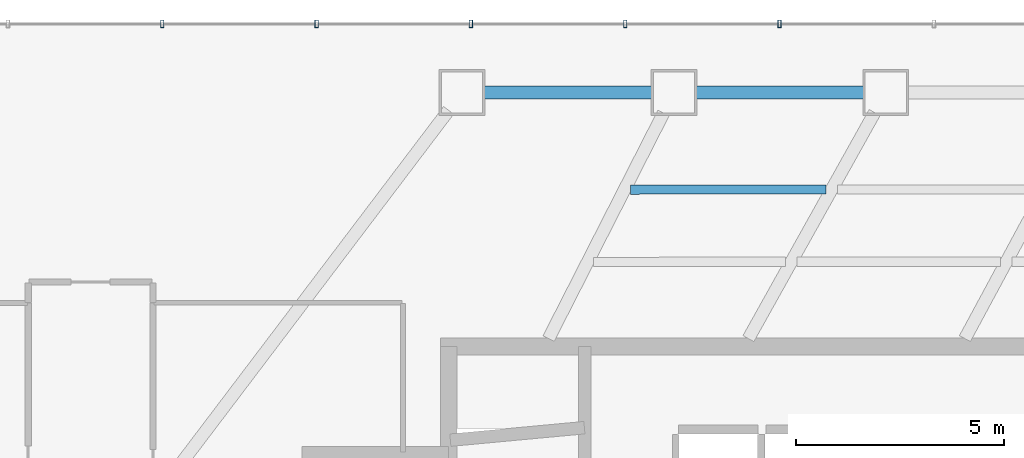
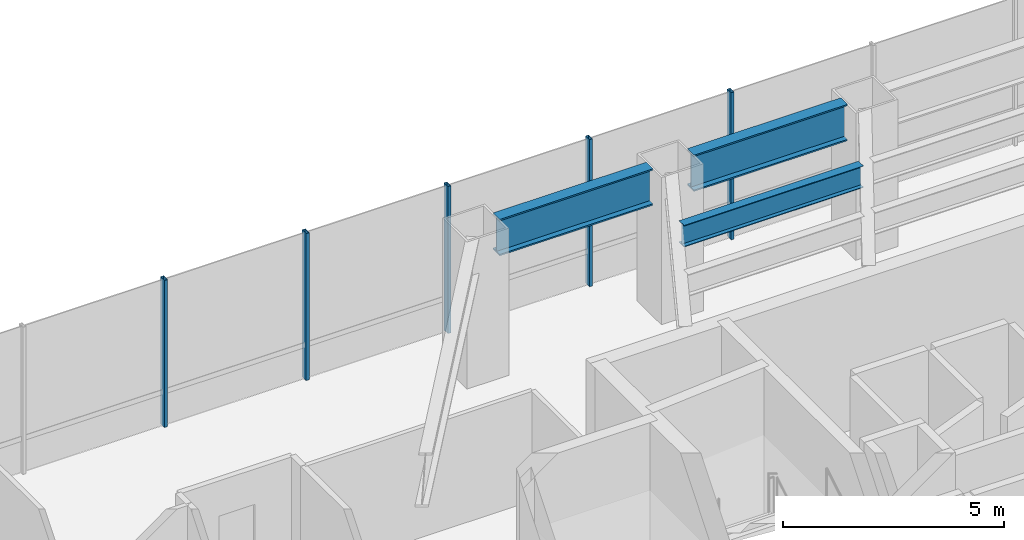
# One storey, part 18 of 33: 5 members, 3 beams, 1 element without a shape of its own.
"""IFC4 building model written with IfcOpenShell, lengths in metres."""

from ifc_helpers import new_model, si_unit, direction, frame, origin, origin_2d, place, context, subcontext, project, spatial, hollow_rectangle, i_section, extrude, material, layer, layer_set, material_profile, profile_set, type_object, element, aggregate, save


model = new_model("IFC4")

# Units and contexts
model_context = context("Model", 3, precision=1e-05, world=origin(), true_north=direction((0.0, 1.0)))
body_context = subcontext(model_context, "Body", "Model", "MODEL_VIEW")
ifc_project = project(units=[si_unit("LENGTHUNIT", "METRE"), si_unit("AREAUNIT", "SQUARE_METRE"), si_unit("VOLUMEUNIT", "CUBIC_METRE"), si_unit("PLANEANGLEUNIT", "RADIAN"), si_unit("MASSUNIT", "GRAM", prefix="KILO")], contexts=[model_context])

# Site, building, storey
site_placement = place(None, origin())
site = spatial("IfcSite", under=ifc_project, at=site_placement, CompositionType="ELEMENT")
building_placement = place(site_placement, origin())
building = spatial("IfcBuilding", under=site, at=building_placement, Name="Zarrinselat Tower", CompositionType="ELEMENT")
storey_placement = place(building_placement, frame((0.0, 0.0, 18.360107421875)))
storey = spatial("IfcBuildingStorey", under=building, at=storey_placement, Name="L04", CompositionType="ELEMENT", Elevation=18.360107421875)

# Beams
ifc_material_1 = material(Name="Steel S460M", Category="steel")
ifc_material_profile_1 = material_profile(ifc_material_1, i_section(OverallWidth=0.302001953125, OverallDepth=1.008056640625, WebThickness=0.02099609375, FlangeThickness=0.0400390625, at=origin_2d()), Name="HEM 1000")
ifc_profile_set_1 = profile_set([ifc_material_profile_1], Name="Steel S460M")
beam_type_1 = type_object("IfcBeamType", Name="BM-HEM1000", PredefinedType="BEAM", material=ifc_profile_set_1)
for number, where, z_axis, x_axis, name in (
    (1, (34.549560546875, 49.550048828125, 3.56591796875), (1.0, 0.0, 0.0), (0.0, 1.0, 0.0), "L04 Perimeter Spandrel Girder SP03"),
    (2, (29.4609375, 49.550048828125, 3.56591796875), (1.0, 0.0, 0.0), (0.0, 1.0, 0.0), "L04 Perimeter Spandrel Girder SP04"),
):
    element("IfcBeam", number, at=place(storey_placement, frame(where, z_axis=z_axis, x_axis=x_axis)), inside=storey, type_object=beam_type_1, Name=name, PredefinedType="BEAM", context=body_context, shape_type="SweptSolid", body=[
        extrude(i_section(OverallWidth=0.302001953125, OverallDepth=1.008056640625, WebThickness=0.02099609375, FlangeThickness=0.0400390625, at=origin_2d()), origin(), (0.0, 0.0, 1.0), 4.012451171875),
    ])
ifc_material_2 = material(Name="Steel S355J2", Category="steel")
ifc_material_profile_2 = material_profile(ifc_material_2, i_section(OverallWidth=0.219970703125, OverallDepth=0.60009765625, WebThickness=0.011962890625, FlangeThickness=0.01904296875, at=origin_2d()), Name="IPE 600")
ifc_profile_set_2 = profile_set([ifc_material_profile_2], Name="Steel S355J2")
beam_type_2 = type_object("IfcBeamType", Name="BM-IPE600", PredefinedType="JOIST", material=ifc_profile_set_2)
beam_placement = place(storey_placement, frame((32.962158203125, 47.21630859375, 3.769775390625), z_axis=(0.999999156163, 0.001299105119, 0.0), x_axis=(-0.001299105119, 0.999999156163, 0.0)))
element("IfcBeam", 3, at=beam_placement, inside=storey, type_object=beam_type_2, Name="L04 Composite Floor Joist 9-1", PredefinedType="JOIST", context=body_context, shape_type="SweptSolid", body=[
    extrude(i_section(OverallWidth=0.219970703125, OverallDepth=0.60009765625, WebThickness=0.011962890625, FlangeThickness=0.01904296875, at=origin_2d()), origin(), (0.0, 0.0, 1.0), 4.6982421875),
])

# Curtain wall, members
ifc_material_3 = material(Name="Extruded Aluminium Alloy EN AW-6063 T6", Category="aluminium")
ifc_layer = layer(ifc_material_3, 0.2099609375)
ifc_layer_set = layer_set([ifc_layer], Name="Extruded Aluminium Alloy EN AW-6063 T6")
curtain_wall_type = type_object("IfcCurtainWallType", Name="CWS-POD", PredefinedType="NOTDEFINED", material=ifc_layer_set)
curtain_wall_placement = place(storey_placement, origin())
curtain_wall = element("IfcCurtainWall", 4, at=curtain_wall_placement, inside=storey, type_object=curtain_wall_type, Name="L04 Unitised Curtain Wall CW-L04-F5", PredefinedType="NOTDEFINED")
ifc_material_4 = material(Name="Extruded Aluminium Alloy EN AW-6063 T6", Category="aluminium")
ifc_material_profile_3 = material_profile(ifc_material_4, hollow_rectangle(XDim=0.080078125, YDim=0.179931640625, WallThickness=0.0048828125, at=origin_2d()), Name="RHS 180x80x5")
ifc_profile_set_3 = profile_set([ifc_material_profile_3], Name="Extruded Aluminium Alloy EN AW-6063 T6")
member_type = type_object("IfcMemberType", Name="MEM-CW-MUL", PredefinedType="MULLION", material=ifc_profile_set_3)
member_1_placement = place(storey_placement, frame((36.546630859375, 51.199951171875, 0.0), z_axis=(0.0, 0.0, 1.0), x_axis=(-1.0, 0.0, 0.0)))
member_1 = element("IfcMember", 5, at=member_1_placement, type_object=member_type, Name="CW-L04-F5 Mullion 8", PredefinedType="MULLION", context=body_context, shape_type="SweptSolid", body=[
    extrude(hollow_rectangle(XDim=0.080078125, YDim=0.179931640625, WallThickness=0.0048828125, at=origin_2d()), origin(), (0.0, 0.0, 1.0), 4.06982421875),
])
member_2_placement = place(storey_placement, frame((32.840087890625, 51.199951171875, 0.0), z_axis=(0.0, 0.0, 1.0), x_axis=(-1.0, 0.0, 0.0)))
member_2 = element("IfcMember", 6, at=member_2_placement, type_object=member_type, Name="CW-L04-F5 Mullion 9", PredefinedType="MULLION", context=body_context, shape_type="SweptSolid", body=[
    extrude(hollow_rectangle(XDim=0.080078125, YDim=0.179931640625, WallThickness=0.0048828125, at=origin_2d()), origin(), (0.0, 0.0, 1.0), 4.06982421875),
])
member_3_placement = place(storey_placement, frame((29.13330078125, 51.199951171875, 0.0), z_axis=(0.0, 0.0, 1.0), x_axis=(-1.0, 0.0, 0.0)))
member_3 = element("IfcMember", 7, at=member_3_placement, type_object=member_type, Name="CW-L04-F5 Mullion 10", PredefinedType="MULLION", context=body_context, shape_type="SweptSolid", body=[
    extrude(hollow_rectangle(XDim=0.080078125, YDim=0.179931640625, WallThickness=0.0048828125, at=origin_2d()), origin(), (0.0, 0.0, 1.0), 4.06982421875),
])
member_4_placement = place(storey_placement, frame((25.4267578125, 51.199951171875, 0.0), z_axis=(0.0, 0.0, 1.0), x_axis=(-1.0, 0.0, 0.0)))
member_4 = element("IfcMember", 8, at=member_4_placement, type_object=member_type, Name="CW-L04-F5 Mullion 11", PredefinedType="MULLION", context=body_context, shape_type="SweptSolid", body=[
    extrude(hollow_rectangle(XDim=0.080078125, YDim=0.179931640625, WallThickness=0.0048828125, at=origin_2d()), origin(), (0.0, 0.0, 1.0), 4.06982421875),
])
member_5_placement = place(storey_placement, frame((21.719970703125, 51.199951171875, 0.0), z_axis=(0.0, 0.0, 1.0), x_axis=(-1.0, 0.0, 0.0)))
member_5 = element("IfcMember", 9, at=member_5_placement, type_object=member_type, Name="CW-L04-F5 Mullion 12", PredefinedType="MULLION", context=body_context, shape_type="SweptSolid", body=[
    extrude(hollow_rectangle(XDim=0.080078125, YDim=0.179931640625, WallThickness=0.0048828125, at=origin_2d()), origin(), (0.0, 0.0, 1.0), 4.06982421875),
])
aggregate(curtain_wall, [member_1, member_2, member_3, member_4, member_5])

save(model, "model.ifc")
